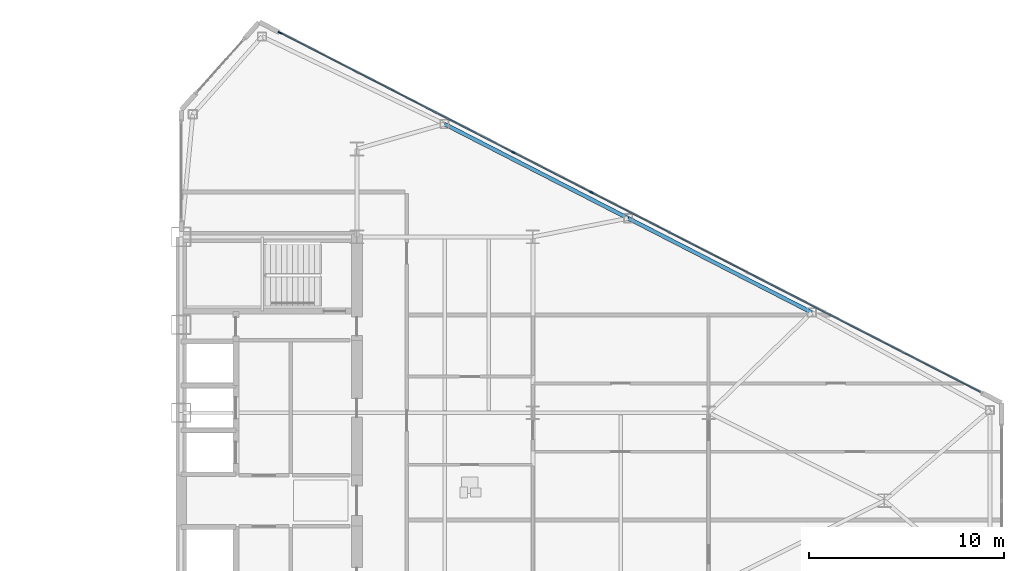
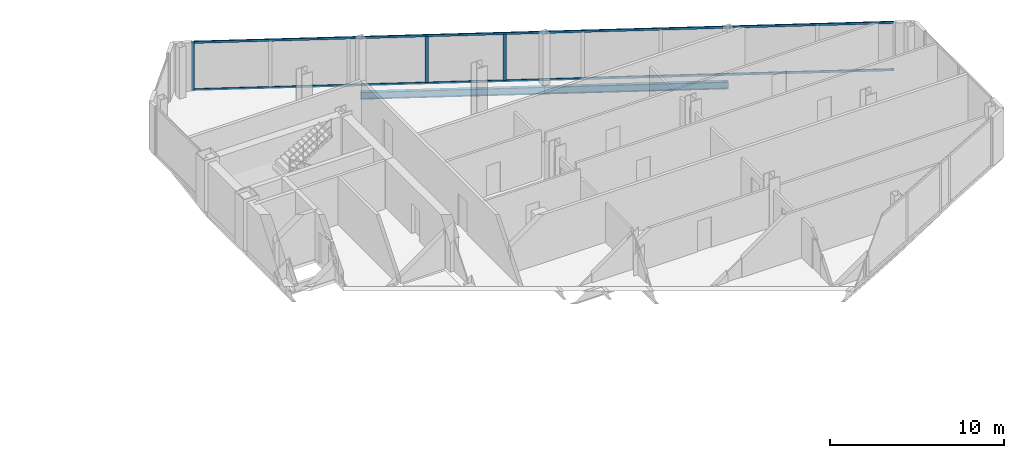
# One storey, part 12 of 24: 5 members, 2 beams, 1 element without a shape of its own.
"""IFC4 building model written with IfcOpenShell, lengths in metres."""

from ifc_helpers import new_model, si_unit, direction, frame, origin, origin_2d, place, context, subcontext, project, spatial, rectangle, i_section, extrude, source, transform, mapped, material, layer, layer_set, material_profile, profile_set, type_object, type_shapes, element, aggregate, save


model = new_model("IFC4")

# Units and contexts
model_context = context("Model", 3, precision=1e-05, world=origin(), true_north=direction((0.0, 1.0)))
body_context = subcontext(model_context, "Body", "Model", "MODEL_VIEW")
ifc_project = project(units=[si_unit("LENGTHUNIT", "METRE"), si_unit("AREAUNIT", "SQUARE_METRE"), si_unit("VOLUMEUNIT", "CUBIC_METRE"), si_unit("PLANEANGLEUNIT", "RADIAN"), si_unit("MASSUNIT", "GRAM", prefix="KILO")], contexts=[model_context])

# Site, building, storey
site_placement = place(None, origin())
site = spatial("IfcSite", under=ifc_project, at=site_placement, CompositionType="ELEMENT")
building_placement = place(site_placement, origin())
building = spatial("IfcBuilding", under=site, at=building_placement, Name="Seokmaru Belvedere", CompositionType="ELEMENT")
storey_placement = place(building_placement, frame((0.0, 0.0, 140.39990234375)))
storey = spatial("IfcBuildingStorey", under=building, at=storey_placement, Name="L37", CompositionType="ELEMENT", Elevation=140.39990234375)

# Beams
ifc_material_1 = material(Name="Steel SM355 (355 MPa)", Category="steel")
ifc_material_profile_1 = material_profile(ifc_material_1, i_section(OverallWidth=0.199951171875, OverallDepth=0.5, WebThickness=0.010009765625, FlangeThickness=0.01611328125, at=origin_2d()), Name="H-500x200x10x16")
ifc_profile_set_1 = profile_set([ifc_material_profile_1], Name="Steel SM355 (355 MPa)")
beam_type = type_object("IfcBeamType", Name="Perimeter Spandrel Beam H-500", PredefinedType="SPANDREL", material=ifc_profile_set_1)
shared_shape_1 = source(origin(), body_context, "Body", "SweptSolid", [
    extrude(i_section(OverallWidth=0.199951171875, OverallDepth=0.5, WebThickness=0.010009765625, FlangeThickness=0.01611328125, at=origin_2d()), origin(), (0.0, 0.0, 1.0), 10.56689453125),
])
type_shapes(beam_type, [shared_shape_1])
for number, where, z_axis, x_axis, name in (
    (1, (40.975830078125, 19.277587890625, -0.469970703125), (0.889701972758, -0.45654178305, 0.0), (0.45654178305, 0.889701972758, 0.0), "L37 E Faceted Flank Spandrel N-2"),
    (2, (50.377197265625, 14.453369140625, -0.469970703125), (0.889692588006, -0.456560071455, 0.0), (0.456560071455, 0.889692588006, 0.0), "L37 E Faceted Flank Spandrel N-3"),
):
    element("IfcBeam", number, at=place(storey_placement, frame(where, z_axis=z_axis, x_axis=x_axis)), inside=storey, type_object=beam_type, Name=name, PredefinedType="SPANDREL", context=body_context, shape_type="MappedRepresentation", body=[
        mapped(shared_shape_1, transform((0.0, 0.0, 0.0), scale=1.0)),
    ])

# Curtain wall, members
ifc_material_2 = material(Name="Bronze Triple Insulating Glass", Category="glass")
ifc_layer = layer(ifc_material_2, 0.195068359375)
ifc_layer_set = layer_set([ifc_layer], Name="Bronze Triple Insulating Glass")
curtain_wall_type = type_object("IfcCurtainWallType", Name="Sky-Lobby and Mid-Rise Curtain Wall System CW-4", PredefinedType="NOTDEFINED", material=ifc_layer_set)
curtain_wall_placement = place(storey_placement, origin())
curtain_wall = element("IfcCurtainWall", 3, at=curtain_wall_placement, inside=storey, type_object=curtain_wall_type, Name="L37 Curtain Wall EF3", PredefinedType="NOTDEFINED")
ifc_material_3 = material(Name="Anodised Bronze Aluminium", Category="aluminium")
ifc_material_profile_2 = material_profile(ifc_material_3, rectangle(XDim=0.070068359375, YDim=0.195068359375, at=origin_2d()), Name="CW-M-70x195")
ifc_profile_set_2 = profile_set([ifc_material_profile_2], Name="Anodised Bronze Aluminium")
member_type_1 = type_object("IfcMemberType", Name="Bronze Unitised Mullion 70x195", PredefinedType="MULLION", material=ifc_profile_set_2)
shared_shape_2 = source(origin(), body_context, "Body", "SweptSolid", [
    extrude(rectangle(XDim=0.070068359375, YDim=0.195068359375, at=origin_2d()), origin(), (0.0, 0.0, 1.0), 3.380126953125),
])
member_1_placement = place(storey_placement, frame((32.55419921875, 23.958984375, 0.0), z_axis=(0.0, 0.0, 1.0), x_axis=(-0.456554528263, -0.889695432562, 0.0)))
member_1 = element("IfcMember", 4, at=member_1_placement, type_object=member_type_1, Name="CW:L37:EF3 Mullion 10", PredefinedType="MULLION", context=body_context, shape_type="MappedRepresentation", body=[
    mapped(shared_shape_2, transform((0.0, 0.0, 0.0), scale=1.0)),
])
shared_shape_3 = source(origin(), body_context, "Body", "SweptSolid", [
    extrude(rectangle(XDim=0.070068359375, YDim=0.195068359375, at=origin_2d()), origin(), (0.0, 0.0, 1.0), 3.25),
])
type_shapes(member_type_1, [shared_shape_2, shared_shape_3])
member_2_placement = place(storey_placement, frame((48.502685546875, 15.77490234375, 0.065185546875), z_axis=(0.0, 0.0, 1.0), x_axis=(-0.456554528263, -0.889695432562, 0.0)))
member_2 = element("IfcMember", 5, at=member_2_placement, type_object=member_type_1, Name="CW:L37:EF3 Mullion 6", PredefinedType="MULLION", context=body_context, shape_type="MappedRepresentation", body=[
    mapped(shared_shape_3, transform((0.0, 0.0, 0.0), scale=1.0)),
])
member_3_placement = place(storey_placement, frame((44.5078125, 17.824951171875, 0.065185546875), z_axis=(0.0, 0.0, 1.0), x_axis=(-0.456554528263, -0.889695432562, 0.0)))
member_3 = element("IfcMember", 6, at=member_3_placement, type_object=member_type_1, Name="CW:L37:EF3 Mullion 7", PredefinedType="MULLION", context=body_context, shape_type="MappedRepresentation", body=[
    mapped(shared_shape_3, transform((0.0, 0.0, 0.0), scale=1.0)),
])
ifc_material_profile_3 = material_profile(ifc_material_3, rectangle(XDim=0.06494140625, YDim=0.14990234375, at=origin_2d()), Name="CW-T-65x150")
ifc_profile_set_3 = profile_set([ifc_material_profile_3], Name="Anodised Bronze Aluminium")
member_type_2 = type_object("IfcMemberType", Name="Bronze Unitised Transom 65x150", PredefinedType="USERDEFINED", material=ifc_profile_set_3)
shared_shape_4 = source(origin(), body_context, "Body", "SweptSolid", [
    extrude(rectangle(XDim=0.06494140625, YDim=0.14990234375, at=origin_2d()), origin(), (0.0, 0.0, 1.0), 40.271240234375),
])
type_shapes(member_type_2, [shared_shape_4])
member_4_placement = place(storey_placement, frame((68.41455078125, 5.556884765625, 0.03271484375), z_axis=(-0.889693089107, 0.456559094965, 0.0), x_axis=(-0.456559094965, -0.889693089107, 0.0)))
member_4 = element("IfcMember", 7, at=member_4_placement, type_object=member_type_2, Name="CW:L37:EF3 Continuous Transom 1", ObjectType="TRANSOM", PredefinedType="USERDEFINED", context=body_context, shape_type="MappedRepresentation", body=[
    mapped(shared_shape_4, transform((0.0, 0.0, 0.0), scale=1.0)),
])
member_5_placement = place(storey_placement, frame((68.41455078125, 5.556884765625, 3.34765625), z_axis=(-0.889693089107, 0.456559094965, 0.0), x_axis=(-0.456559094965, -0.889693089107, 0.0)))
member_5 = element("IfcMember", 8, at=member_5_placement, type_object=member_type_2, Name="CW:L37:EF3 Continuous Transom 2", ObjectType="TRANSOM", PredefinedType="USERDEFINED", context=body_context, shape_type="MappedRepresentation", body=[
    mapped(shared_shape_4, transform((0.0, 0.0, 0.0), scale=1.0)),
])
aggregate(curtain_wall, [member_2, member_3, member_1, member_4, member_5])

save(model, "model.ifc")
